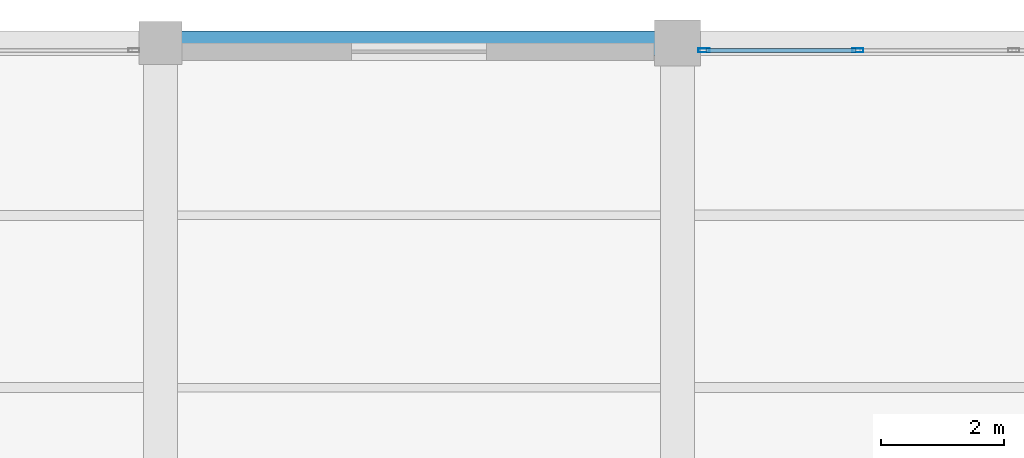
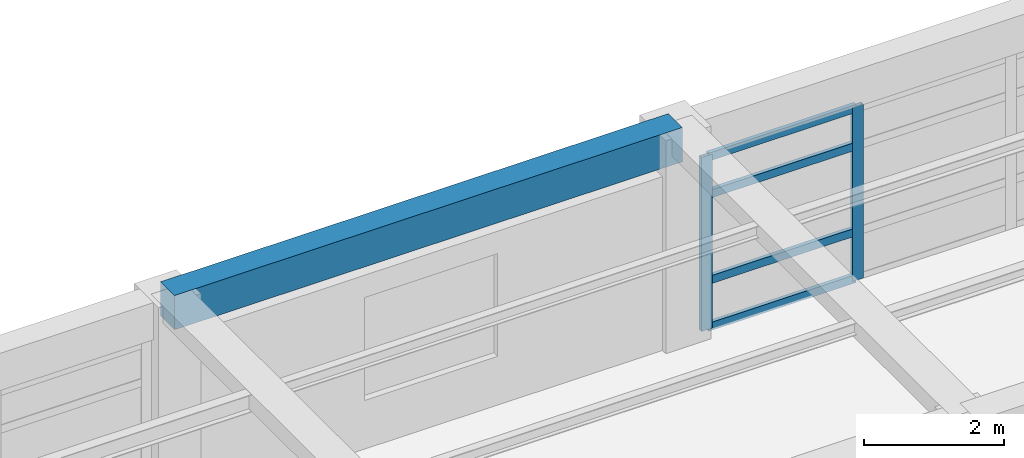
# One storey, part 18 of 26: 6 members, 1 beam, 1 element without a shape of its own.
"""IFC4 building model written with IfcOpenShell, lengths in metres."""

from ifc_helpers import new_model, si_unit, direction, frame, origin, origin_2d, place, context, subcontext, project, spatial, rectangle, hollow_rectangle, extrude, material, material_profile, profile_set, type_object, element, aggregate, save


model = new_model("IFC4")

# Units and contexts
model_context = context("Model", 3, precision=1e-05, world=origin(), true_north=direction((0.0, 1.0)))
body_context = subcontext(model_context, "Body", "Model", "MODEL_VIEW")
ifc_project = project(units=[si_unit("LENGTHUNIT", "METRE"), si_unit("AREAUNIT", "SQUARE_METRE"), si_unit("VOLUMEUNIT", "CUBIC_METRE"), si_unit("PLANEANGLEUNIT", "RADIAN"), si_unit("MASSUNIT", "GRAM", prefix="KILO")], contexts=[model_context])

# Site, building, storey
site_placement = place(None, origin())
site = spatial("IfcSite", under=ifc_project, at=site_placement, CompositionType="ELEMENT")
building_placement = place(site_placement, origin())
building = spatial("IfcBuilding", under=site, at=building_placement, Name="Almacenes y Pasaje Nevantli", CompositionType="ELEMENT")
storey_placement = place(building_placement, frame((0.0, 0.0, 38.699951171875)))
storey = spatial("IfcBuildingStorey", under=building, at=storey_placement, Name="L09", CompositionType="ELEMENT", Elevation=38.699951171875)

# Beam
ifc_material_1 = material(Name="Concrete C35/45", Category="concrete")
ifc_material_profile_1 = material_profile(ifc_material_1, rectangle(XDim=0.39990234375, YDim=0.60009765625, at=origin_2d()), Name="RC-BM-400x600")
ifc_profile_set_1 = profile_set([ifc_material_profile_1], Name="Concrete C35/45")
beam_type = type_object("IfcBeamType", Name="BM-RC-400x600", PredefinedType="SPANDREL", material=ifc_profile_set_1)
beam_placement = place(storey_placement, frame((126.0, 100.800048828125, 3.420166015625), z_axis=(1.0, 0.0, 0.0), x_axis=(0.0, 1.0, 0.0)))
element("IfcBeam", 1, at=beam_placement, inside=storey, type_object=beam_type, Name="L09 East-West Reinforced Concrete Beam #3767", PredefinedType="SPANDREL", context=body_context, shape_type="SweptSolid", body=[
    extrude(rectangle(XDim=0.39990234375, YDim=0.60009765625, at=origin_2d()), origin(), (0.0, 0.0, 1.0), 8.39990234375),
])

# Curtain wall, members
ifc_material_2 = material(Name="Thermally Broken Aluminium and Low-E Glass", Category="aluminium")
curtain_wall_type = type_object("IfcCurtainWallType", Name="CW-UNIT-TOWER", PredefinedType="USERDEFINED", material=ifc_material_2)
curtain_wall_placement = place(storey_placement, origin())
curtain_wall = element("IfcCurtainWall", 2, at=curtain_wall_placement, inside=storey, type_object=curtain_wall_type, Name="L09 Tower North Boulevard Unitized Curtain Wall Bay 17", ObjectType="UNITIZED CURTAIN WALL", PredefinedType="USERDEFINED")
ifc_material_3 = material(Name="Thermally Broken Anodized Aluminium", Category="aluminium")
ifc_material_profile_2 = material_profile(ifc_material_3, hollow_rectangle(XDim=0.06494140625, YDim=0.179931640625, WallThickness=0.00390625, at=origin_2d()), Name="ALU-MUL-65x180")
ifc_profile_set_2 = profile_set([ifc_material_profile_2], Name="Thermally Broken Anodized Aluminium")
member_type_1 = type_object("IfcMemberType", Name="CW-MUL-200", PredefinedType="MULLION", material=ifc_profile_set_2)
member_1_placement = place(storey_placement, frame((134.83251953125, 100.679931640625, 0.0), z_axis=(0.0, 0.0, 1.0), x_axis=(0.0, 1.0, 0.0)))
member_1 = element("IfcMember", 3, at=member_1_placement, type_object=member_type_1, Name="CW-L09-134 mullion 1", PredefinedType="MULLION", context=body_context, shape_type="SweptSolid", body=[
    extrude(hollow_rectangle(XDim=0.06494140625, YDim=0.179931640625, WallThickness=0.00390625, at=origin_2d()), origin(), (0.0, 0.0, 1.0), 3.0400390625),
])
member_2_placement = place(storey_placement, frame((137.333251953125, 100.679931640625, 0.0), z_axis=(0.0, 0.0, 1.0), x_axis=(0.0, 1.0, 0.0)))
member_2 = element("IfcMember", 4, at=member_2_placement, type_object=member_type_1, Name="CW-L09-134 mullion 2", PredefinedType="MULLION", context=body_context, shape_type="SweptSolid", body=[
    extrude(hollow_rectangle(XDim=0.06494140625, YDim=0.179931640625, WallThickness=0.00390625, at=origin_2d()), origin(), (0.0, 0.0, 1.0), 3.0400390625),
])
ifc_material_4 = material(Name="Thermally Broken Anodized Aluminium", Category="aluminium")
ifc_material_profile_3 = material_profile(ifc_material_4, hollow_rectangle(XDim=0.06494140625, YDim=0.139892578125, WallThickness=0.00390625, at=origin_2d()), Name="ALU-TRN-65x140")
ifc_profile_set_3 = profile_set([ifc_material_profile_3], Name="Thermally Broken Anodized Aluminium")
member_type_2 = type_object("IfcMemberType", Name="CW-TRN-150", PredefinedType="USERDEFINED", material=ifc_profile_set_3)
member_3_placement = place(storey_placement, frame((134.864990234375, 100.679931640625, 0.032470703125), z_axis=(1.0, 0.0, 0.0), x_axis=(0.0, 1.0, 0.0)))
member_3 = element("IfcMember", 5, at=member_3_placement, type_object=member_type_2, Name="CW-L09-134 transom 1.1", ObjectType="TRANSOM", PredefinedType="USERDEFINED", context=body_context, shape_type="SweptSolid", body=[
    extrude(hollow_rectangle(XDim=0.06494140625, YDim=0.139892578125, WallThickness=0.00390625, at=origin_2d()), origin(), (0.0, 0.0, 1.0), 2.435791015625),
])
member_4_placement = place(storey_placement, frame((134.864990234375, 100.679931640625, 0.85009765625), z_axis=(1.0, 0.0, 0.0), x_axis=(0.0, 1.0, 0.0)))
member_4 = element("IfcMember", 6, at=member_4_placement, type_object=member_type_2, Name="CW-L09-134 transom 1.2", ObjectType="TRANSOM", PredefinedType="USERDEFINED", context=body_context, shape_type="SweptSolid", body=[
    extrude(hollow_rectangle(XDim=0.06494140625, YDim=0.139892578125, WallThickness=0.00390625, at=origin_2d()), origin(), (0.0, 0.0, 1.0), 2.435791015625),
])
member_5_placement = place(storey_placement, frame((134.864990234375, 100.679931640625, 2.35009765625), z_axis=(1.0, 0.0, 0.0), x_axis=(0.0, 1.0, 0.0)))
member_5 = element("IfcMember", 7, at=member_5_placement, type_object=member_type_2, Name="CW-L09-134 transom 1.3", ObjectType="TRANSOM", PredefinedType="USERDEFINED", context=body_context, shape_type="SweptSolid", body=[
    extrude(hollow_rectangle(XDim=0.06494140625, YDim=0.139892578125, WallThickness=0.00390625, at=origin_2d()), origin(), (0.0, 0.0, 1.0), 2.435791015625),
])
member_6_placement = place(storey_placement, frame((134.864990234375, 100.679931640625, 3.007568359375), z_axis=(1.0, 0.0, 0.0), x_axis=(0.0, 1.0, 0.0)))
member_6 = element("IfcMember", 8, at=member_6_placement, type_object=member_type_2, Name="CW-L09-134 transom 1.4", ObjectType="TRANSOM", PredefinedType="USERDEFINED", context=body_context, shape_type="SweptSolid", body=[
    extrude(hollow_rectangle(XDim=0.06494140625, YDim=0.139892578125, WallThickness=0.00390625, at=origin_2d()), origin(), (0.0, 0.0, 1.0), 2.435791015625),
])
aggregate(curtain_wall, [member_1, member_2, member_3, member_4, member_5, member_6])

save(model, "model.ifc")
